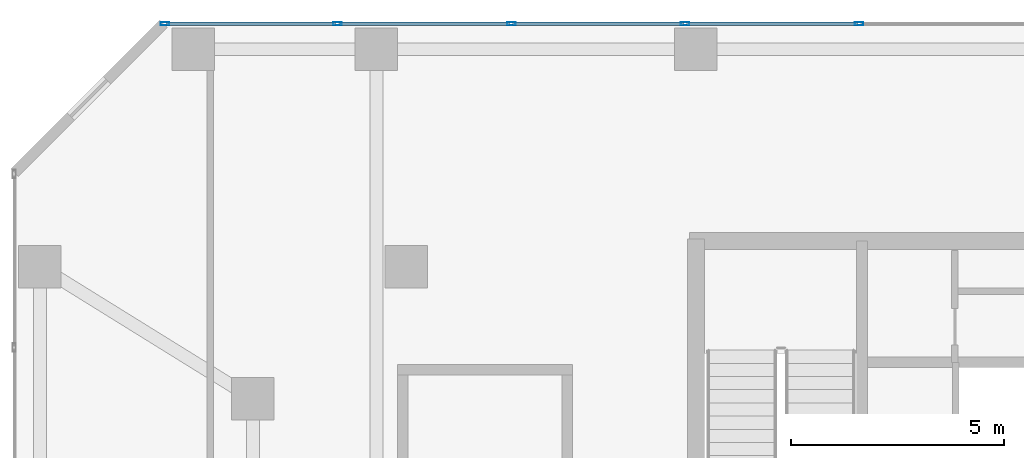
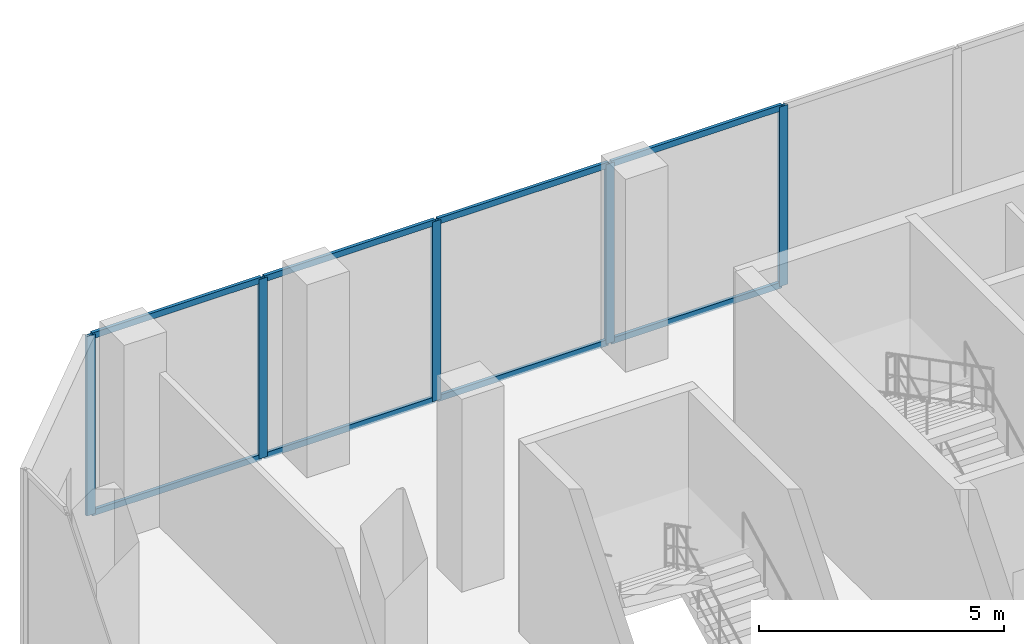
# One storey, part 14 of 24: 13 members, 1 element without a shape of its own.
"""IFC4 building model written with IfcOpenShell, lengths in metres."""

import ifcopenshell
import ifcopenshell.guid

model = None  # the IFC model being written
_history = None  # IfcOwnerHistory: only IFC2X3 demands one
_inside = {}  # id of a spatial element -> (the spatial element, [elements in it])
_under = {}  # id of a project, library or spatial element -> (it, [spatial elements below it])
_declared = {}  # id of a project -> (the project, [libraries it declares])
_typed = {}  # id of a type object -> (the type object, [elements of that type])
_made_of = {}  # id of a material, layer set ... -> (it, [elements and type objects made of it])


def new_model(schema):
    """Start an empty IFC model of exactly this schema.

    Asked for "IFC4X3", IfcOpenShell would pick the latest addendum, in which some entities
    have other attributes; the version numbers below select the first issue.
    IFC2X3 requires an IfcOwnerHistory on every rooted entity: one is made here for all.
    """
    global model, _history
    if schema == "IFC4X3":
        model = ifcopenshell.file(schema_version=(4, 3, 0, 0))
    else:
        model = ifcopenshell.file(schema=schema)
    _inside.clear()
    _under.clear()
    _declared.clear()
    _typed.clear()
    _made_of.clear()
    _history = None
    if model.schema == "IFC2X3":
        org = make("IfcOrganization", Name="unknown")
        user = make(
            "IfcPersonAndOrganization",
            ThePerson=make("IfcPerson", FamilyName="unknown"),
            TheOrganization=org,
        )
        app = make(
            "IfcApplication",
            ApplicationDeveloper=org,
            Version="unknown",
            ApplicationFullName="unknown",
            ApplicationIdentifier="unknown",
        )
        _history = make(
            "IfcOwnerHistory",
            OwningUser=user,
            OwningApplication=app,
            ChangeAction="ADDED",
            CreationDate=0,
        )
    return model


def make(cls, **values):
    """One entity of the class cls with the attributes given. An attribute that is None is left unset."""
    return model.create_entity(
        cls, **{name: value for name, value in values.items() if value is not None}
    )


def rooted(cls, **values):
    """An entity with a GlobalId (a new one), such as an element, a storey or a relation."""
    return make(cls, GlobalId=ifcopenshell.guid.new(), OwnerHistory=_history, **values)


def si_unit(unit_type, name, prefix=None):
    """IfcSIUnit, for example si_unit("LENGTHUNIT", "METRE", prefix="MILLI")."""
    return make("IfcSIUnit", UnitType=unit_type, Prefix=prefix, Name=name)


def assignment(units):
    """IfcUnitAssignment: the units of a project."""
    return None if units is None else make("IfcUnitAssignment", Units=units)


def point(xyz):
    """IfcCartesianPoint."""
    return None if xyz is None else make("IfcCartesianPoint", Coordinates=xyz)


def direction(xyz):
    """IfcDirection."""
    return None if xyz is None else make("IfcDirection", DirectionRatios=xyz)


def frame(location, z_axis=None, x_axis=None):
    """IfcAxis2Placement3D, a coordinate frame: its origin and axes. An axis left out is left unset."""
    return make(
        "IfcAxis2Placement3D",
        Location=point(location),
        Axis=direction(z_axis),
        RefDirection=direction(x_axis),
    )


def frame_2d(location, x_axis=None):
    """IfcAxis2Placement2D, a coordinate frame in the plane: its origin and x axis."""
    return make(
        "IfcAxis2Placement2D", Location=point(location), RefDirection=direction(x_axis)
    )


def origin():
    """The frame at (0, 0, 0) with its axes left unset."""
    return frame((0.0, 0.0, 0.0))


def origin_2d():
    """The frame at (0, 0) in the plane with its x axis left unset."""
    return frame_2d((0.0, 0.0))


def place(relative_to, where):
    """IfcLocalPlacement: puts the frame where relative to a parent placement (None: the world)."""
    return make(
        "IfcLocalPlacement", PlacementRelTo=relative_to, RelativePlacement=where
    )


def context(
    kind, dimensions, precision=None, world=None, true_north=None, identifier=None
):
    """IfcGeometricRepresentationContext, for example the 3D "Model" context."""
    return make(
        "IfcGeometricRepresentationContext",
        ContextIdentifier=identifier,
        ContextType=kind,
        CoordinateSpaceDimension=dimensions,
        Precision=precision,
        WorldCoordinateSystem=world,
        TrueNorth=true_north,
    )


def subcontext(parent, identifier, kind, view, scale=None):
    """IfcGeometricRepresentationSubContext, for example "Body" below "Model"."""
    return make(
        "IfcGeometricRepresentationSubContext",
        ContextIdentifier=identifier,
        ContextType=kind,
        ParentContext=parent,
        TargetScale=scale,
        TargetView=view,
    )


def project(units=None, contexts=None):
    """IfcProject with its units and contexts."""
    return rooted(
        "IfcProject",
        Name="project",
        RepresentationContexts=contexts,
        UnitsInContext=assignment(units),
    )


def spatial(cls, under=None, at=None, **own):
    """A site, building, storey or space (cls), placed at a placement, below another one or the project."""
    s = rooted(cls, ObjectPlacement=at, **own)
    if under is not None:
        _under.setdefault(under.id(), (under, []))[1].append(s)
    return s


def profile(cls, at=None, kind="AREA", **sizes):
    """A parametric profile (cls). Its sizes go by their IFC names, for example OverallWidth=200.0."""
    return make(cls, ProfileType=kind, Position=at, **sizes)


def hollow_rectangle(**sizes):
    """IfcRectangleHollowProfileDef."""
    return profile("IfcRectangleHollowProfileDef", **sizes)


def extrude(swept, where, along, depth):
    """IfcExtrudedAreaSolid: the profile swept, set in the frame where, extruded along a direction by depth."""
    return make(
        "IfcExtrudedAreaSolid",
        SweptArea=swept,
        Position=where,
        ExtrudedDirection=direction(along),
        Depth=depth,
    )


def shape(context_of_items, identifier, shape_type, items):
    """IfcShapeRepresentation: the items that make up one representation, for example the "Body"."""
    return make(
        "IfcShapeRepresentation",
        ContextOfItems=context_of_items,
        RepresentationIdentifier=identifier,
        RepresentationType=shape_type,
        Items=items,
    )


def material(Name=None, Category=None):
    """IfcMaterial."""
    return make("IfcMaterial", Name=Name, Category=Category)


def layer(
    of_material, thickness, ventilated=None, Name=None, Category=None, Priority=None
):
    """IfcMaterialLayer: one layer of a wall or slab, of a material (None: an air gap)."""
    return make(
        "IfcMaterialLayer",
        Material=of_material,
        LayerThickness=thickness,
        IsVentilated=ventilated,
        Name=Name,
        Category=Category,
        Priority=Priority,
    )


def layer_set(layers, Name=None):
    """IfcMaterialLayerSet."""
    return make("IfcMaterialLayerSet", MaterialLayers=layers, LayerSetName=Name)


def material_profile(
    of_material, cross_section, Name=None, Category=None, Priority=None
):
    """IfcMaterialProfile: a cross section and its material."""
    return make(
        "IfcMaterialProfile",
        Name=Name,
        Material=of_material,
        Profile=cross_section,
        Priority=Priority,
        Category=Category,
    )


def profile_set(profiles, Name=None, composite=None):
    """IfcMaterialProfileSet."""
    return make(
        "IfcMaterialProfileSet",
        Name=Name,
        MaterialProfiles=profiles,
        CompositeProfile=composite,
    )


def made_of(thing, what):
    """Note that an element or type object is made of a material, layer set ...; save() writes the relation."""
    if what is not None:
        _made_of.setdefault(what.id(), (what, []))[1].append(thing)
    return thing


def type_object(cls, material=None, **own):
    """A type object (cls), such as IfcWallType, which elements share."""
    return made_of(rooted(cls, **own), material)


def element(
    cls,
    number,
    at=None,
    inside=None,
    cuts=None,
    type_object=None,
    material=None,
    context=None,
    identifier="Body",
    shape_type=None,
    held_by="IfcProductDefinitionShape",
    body=None,
    shapes=None,
    **own,
):
    """One element of the class cls, such as IfcWall. Its Tag is "e" and its number.

    at: its placement. inside: the storey or other place that contains it. cuts: it is an
    opening in that element (IfcRelVoidsElement). A single representation is given by context,
    identifier, shape_type and body (its items); several are given by shapes. held_by: the class
    of the entity that holds the representations. save() writes the other relations.
    """
    e = rooted(cls, Tag="e%d" % number, ObjectPlacement=at, **own)
    if body is not None:
        shapes = [shape(context, identifier, shape_type, body)]
    if shapes is not None:
        e.Representation = make(held_by, Representations=shapes)
    if inside is not None:
        _inside.setdefault(inside.id(), (inside, []))[1].append(e)
    if cuts is not None:
        rooted(
            "IfcRelVoidsElement", RelatingBuildingElement=cuts, RelatedOpeningElement=e
        )
    if type_object is not None:
        _typed.setdefault(type_object.id(), (type_object, []))[1].append(e)
    return made_of(e, material)


def aggregate(whole, parts):
    """IfcRelAggregates: a whole, such as a stair, and the parts it consists of."""
    return rooted("IfcRelAggregates", RelatingObject=whole, RelatedObjects=parts)


def save(model, path):
    """Write the relations noted so far, then the file.

    IfcRelAggregates (storeys below a building ...), IfcRelContainedInSpatialStructure (elements
    in a storey), IfcRelDefinesByType, IfcRelAssociatesMaterial and IfcRelDeclares: one each for
    every whole, place, type object, material and project.
    """
    for whole, parts in _under.values():
        aggregate(whole, parts)
    for where, things in _inside.values():
        rooted(
            "IfcRelContainedInSpatialStructure",
            RelatedElements=things,
            RelatingStructure=where,
        )
    for kind, things in _typed.values():
        rooted("IfcRelDefinesByType", RelatedObjects=things, RelatingType=kind)
    for what, things in _made_of.values():
        rooted("IfcRelAssociatesMaterial", RelatedObjects=things, RelatingMaterial=what)
    for by, libraries in _declared.values():
        rooted("IfcRelDeclares", RelatingContext=by, RelatedDefinitions=libraries)
    model.write(path)


model = new_model("IFC4")

# Units and contexts
model_context = context("Model", 3, precision=1e-05, world=origin(), true_north=direction((0.0, 1.0)))
body_context = subcontext(model_context, "Body", "Model", "MODEL_VIEW")
ifc_project = project(units=[si_unit("LENGTHUNIT", "METRE"), si_unit("AREAUNIT", "SQUARE_METRE"), si_unit("VOLUMEUNIT", "CUBIC_METRE"), si_unit("PLANEANGLEUNIT", "RADIAN"), si_unit("MASSUNIT", "GRAM", prefix="KILO")], contexts=[model_context])

# Site, building, storey
site_placement = place(None, origin())
site = spatial("IfcSite", under=ifc_project, at=site_placement, CompositionType="ELEMENT")
building_placement = place(site_placement, origin())
building = spatial("IfcBuilding", under=site, at=building_placement, Name="Catumbela Crestline Tower", CompositionType="ELEMENT")
storey_placement = place(building_placement, frame((0.0, 0.0, 11.1)))
storey = spatial("IfcBuildingStorey", under=building, at=storey_placement, Name="L02", CompositionType="ELEMENT", Elevation=11.1)

# Curtain wall, members
ifc_material = material(Name="Aluminium alloy AW-6060-T66", Category="aluminium")
ifc_layer = layer(ifc_material, 0.18, Name="Aluminium alloy AW-6060-T66")
ifc_layer_set = layer_set([ifc_layer], Name="Aluminium alloy AW-6060-T66")
curtain_wall_type = type_object("IfcCurtainWallType", Name="CWS-POD", PredefinedType="USERDEFINED", material=ifc_layer_set)
curtain_wall_placement = place(storey_placement, origin())
curtain_wall = element("IfcCurtainWall", 1, at=curtain_wall_placement, inside=storey, type_object=curtain_wall_type, Name="L02 Stick Curtain Wall CW-L02-E7S1", ObjectType="STICK", PredefinedType="USERDEFINED")
ifc_material_profile_1 = material_profile(ifc_material, hollow_rectangle(XDim=0.075, YDim=0.2, WallThickness=0.005, at=origin_2d()), Name="ALU 200x75x5")
ifc_profile_set_1 = profile_set([ifc_material_profile_1], Name="Aluminium alloy AW-6060-T66")
member_type_1 = type_object("IfcMemberType", Name="MUL-200X75", PredefinedType="MULLION", material=ifc_profile_set_1)
member_1_placement = place(storey_placement, frame((19.8333, 48.0, 0.0), z_axis=(0.0, 0.0, 1.0), x_axis=(0.0, -1.0, 0.0)))
member_1 = element("IfcMember", 2, at=member_1_placement, type_object=member_type_1, Name="CWS-POD mullion 9", PredefinedType="MULLION", context=body_context, shape_type="SweptSolid", body=[
    extrude(hollow_rectangle(XDim=0.075, YDim=0.2, WallThickness=0.005, at=origin_2d()), origin(), (0.0, 0.0, 1.0), 4.47),
])
member_2_placement = place(storey_placement, frame((15.75, 48.0, 0.0), z_axis=(0.0, 0.0, 1.0), x_axis=(0.0, -1.0, 0.0)))
member_2 = element("IfcMember", 3, at=member_2_placement, type_object=member_type_1, Name="CWS-POD mullion 10", PredefinedType="MULLION", context=body_context, shape_type="SweptSolid", body=[
    extrude(hollow_rectangle(XDim=0.075, YDim=0.2, WallThickness=0.005, at=origin_2d()), origin(), (0.0, 0.0, 1.0), 4.47),
])
member_3_placement = place(storey_placement, frame((11.6667, 48.0, 0.0), z_axis=(0.0, 0.0, 1.0), x_axis=(0.0, -1.0, 0.0)))
member_3 = element("IfcMember", 4, at=member_3_placement, type_object=member_type_1, Name="CWS-POD mullion 11", PredefinedType="MULLION", context=body_context, shape_type="SweptSolid", body=[
    extrude(hollow_rectangle(XDim=0.075, YDim=0.2, WallThickness=0.005, at=origin_2d()), origin(), (0.0, 0.0, 1.0), 4.47),
])
member_4_placement = place(storey_placement, frame((7.5833, 48.0, 0.0), z_axis=(0.0, 0.0, 1.0), x_axis=(0.0, -1.0, 0.0)))
member_4 = element("IfcMember", 5, at=member_4_placement, type_object=member_type_1, Name="CWS-POD mullion 12", PredefinedType="MULLION", context=body_context, shape_type="SweptSolid", body=[
    extrude(hollow_rectangle(XDim=0.075, YDim=0.2, WallThickness=0.005, at=origin_2d()), origin(), (0.0, 0.0, 1.0), 4.47),
])
member_5_placement = place(storey_placement, frame((3.5325, 48.0, 0.0), z_axis=(0.0, 0.0, 1.0), x_axis=(0.0, -1.0, 0.0)))
member_5 = element("IfcMember", 6, at=member_5_placement, type_object=member_type_1, Name="CWS-POD mullion 13", PredefinedType="MULLION", context=body_context, shape_type="SweptSolid", body=[
    extrude(hollow_rectangle(XDim=0.075, YDim=0.2, WallThickness=0.005, at=origin_2d()), origin(), (0.0, 0.0, 1.0), 4.47),
])
ifc_material_profile_2 = material_profile(ifc_material, hollow_rectangle(XDim=0.075, YDim=0.15, WallThickness=0.0045, at=origin_2d()), Name="ALU 150x75x4.5")
ifc_profile_set_2 = profile_set([ifc_material_profile_2], Name="Aluminium alloy AW-6060-T66")
member_type_2 = type_object("IfcMemberType", Name="TRN-150X75", PredefinedType="USERDEFINED", material=ifc_profile_set_2)
member_6_placement = place(storey_placement, frame((19.8008, 48.0, 0.03), z_axis=(-1.0, 0.0, 0.0), x_axis=(0.0, -1.0, 0.0)))
member_6 = element("IfcMember", 7, at=member_6_placement, type_object=member_type_2, Name="CWS-POD transom 9.1", ObjectType="TRANSOM", PredefinedType="USERDEFINED", context=body_context, shape_type="SweptSolid", body=[
    extrude(hollow_rectangle(XDim=0.075, YDim=0.15, WallThickness=0.0045, at=origin_2d()), origin(), (0.0, 0.0, 1.0), 4.0183),
])
member_7_placement = place(storey_placement, frame((19.8008, 48.0, 4.44), z_axis=(-1.0, 0.0, 0.0), x_axis=(0.0, -1.0, 0.0)))
member_7 = element("IfcMember", 8, at=member_7_placement, type_object=member_type_2, Name="CWS-POD transom 9.2", ObjectType="TRANSOM", PredefinedType="USERDEFINED", context=body_context, shape_type="SweptSolid", body=[
    extrude(hollow_rectangle(XDim=0.075, YDim=0.15, WallThickness=0.0045, at=origin_2d()), origin(), (0.0, 0.0, 1.0), 4.0183),
])
member_8_placement = place(storey_placement, frame((15.7175, 48.0, 0.03), z_axis=(-1.0, 0.0, 0.0), x_axis=(0.0, -1.0, 0.0)))
member_8 = element("IfcMember", 9, at=member_8_placement, type_object=member_type_2, Name="CWS-POD transom 10.1", ObjectType="TRANSOM", PredefinedType="USERDEFINED", context=body_context, shape_type="SweptSolid", body=[
    extrude(hollow_rectangle(XDim=0.075, YDim=0.15, WallThickness=0.0045, at=origin_2d()), origin(), (0.0, 0.0, 1.0), 4.0183),
])
member_9_placement = place(storey_placement, frame((15.7175, 48.0, 4.44), z_axis=(-1.0, 0.0, 0.0), x_axis=(0.0, -1.0, 0.0)))
member_9 = element("IfcMember", 10, at=member_9_placement, type_object=member_type_2, Name="CWS-POD transom 10.2", ObjectType="TRANSOM", PredefinedType="USERDEFINED", context=body_context, shape_type="SweptSolid", body=[
    extrude(hollow_rectangle(XDim=0.075, YDim=0.15, WallThickness=0.0045, at=origin_2d()), origin(), (0.0, 0.0, 1.0), 4.0183),
])
member_10_placement = place(storey_placement, frame((11.6342, 48.0, 0.03), z_axis=(-1.0, 0.0, 0.0), x_axis=(0.0, -1.0, 0.0)))
member_10 = element("IfcMember", 11, at=member_10_placement, type_object=member_type_2, Name="CWS-POD transom 11.1", ObjectType="TRANSOM", PredefinedType="USERDEFINED", context=body_context, shape_type="SweptSolid", body=[
    extrude(hollow_rectangle(XDim=0.075, YDim=0.15, WallThickness=0.0045, at=origin_2d()), origin(), (0.0, 0.0, 1.0), 4.0184),
])
member_11_placement = place(storey_placement, frame((11.6342, 48.0, 4.44), z_axis=(-1.0, 0.0, 0.0), x_axis=(0.0, -1.0, 0.0)))
member_11 = element("IfcMember", 12, at=member_11_placement, type_object=member_type_2, Name="CWS-POD transom 11.2", ObjectType="TRANSOM", PredefinedType="USERDEFINED", context=body_context, shape_type="SweptSolid", body=[
    extrude(hollow_rectangle(XDim=0.075, YDim=0.15, WallThickness=0.0045, at=origin_2d()), origin(), (0.0, 0.0, 1.0), 4.0184),
])
member_12_placement = place(storey_placement, frame((7.5508, 48.0, 0.03), z_axis=(-1.0, 0.0, 0.0), x_axis=(0.0, -1.0, 0.0)))
member_12 = element("IfcMember", 13, at=member_12_placement, type_object=member_type_2, Name="CWS-POD transom 12.1", ObjectType="TRANSOM", PredefinedType="USERDEFINED", context=body_context, shape_type="SweptSolid", body=[
    extrude(hollow_rectangle(XDim=0.075, YDim=0.15, WallThickness=0.0045, at=origin_2d()), origin(), (0.0, 0.0, 1.0), 3.9858),
])
member_13_placement = place(storey_placement, frame((7.5508, 48.0, 4.44), z_axis=(-1.0, 0.0, 0.0), x_axis=(0.0, -1.0, 0.0)))
member_13 = element("IfcMember", 14, at=member_13_placement, type_object=member_type_2, Name="CWS-POD transom 12.2", ObjectType="TRANSOM", PredefinedType="USERDEFINED", context=body_context, shape_type="SweptSolid", body=[
    extrude(hollow_rectangle(XDim=0.075, YDim=0.15, WallThickness=0.0045, at=origin_2d()), origin(), (0.0, 0.0, 1.0), 3.9858),
])
aggregate(curtain_wall, [member_1, member_2, member_3, member_4, member_5, member_6, member_7, member_8, member_9, member_10, member_11, member_12, member_13])

save(model, "model.ifc")
